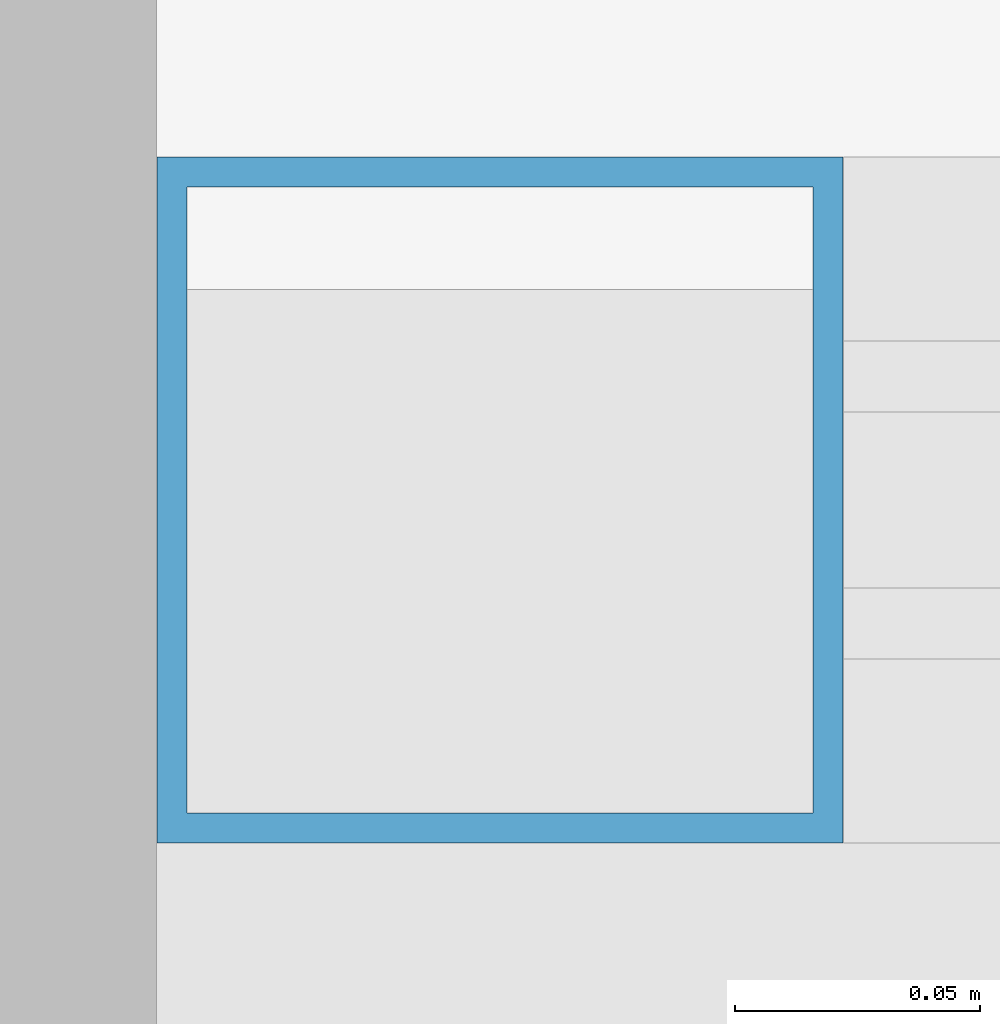
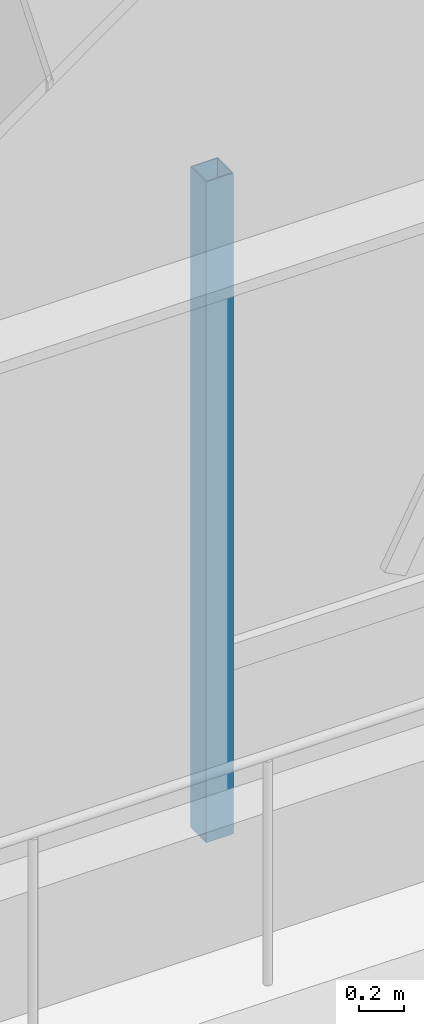
# One storey, part 4 of 28: 1 member, 1 element without a shape of its own.
"""IFC4 building model written with IfcOpenShell, lengths in metres."""

from ifc_helpers import new_model, si_unit, direction, frame, origin, origin_2d, place, context, subcontext, project, spatial, hollow_rectangle, extrude, source, transform, mapped, material, material_profile, profile_set, type_object, element, aggregate, save


model = new_model("IFC4")

# Units and contexts
model_context = context("Model", 3, precision=1e-05, world=origin(), true_north=direction((0.0, 1.0)))
body_context = subcontext(model_context, "Body", "Model", "MODEL_VIEW")
ifc_project = project(units=[si_unit("LENGTHUNIT", "METRE"), si_unit("AREAUNIT", "SQUARE_METRE"), si_unit("VOLUMEUNIT", "CUBIC_METRE"), si_unit("PLANEANGLEUNIT", "RADIAN"), si_unit("MASSUNIT", "GRAM", prefix="KILO")], contexts=[model_context])

# Site, building, storey
site_placement = place(None, origin())
site = spatial("IfcSite", under=ifc_project, at=site_placement, CompositionType="ELEMENT")
building_placement = place(site_placement, origin())
building = spatial("IfcBuilding", under=site, at=building_placement, Name="Khorayat Bourse Tower", CompositionType="ELEMENT")
storey_placement = place(building_placement, frame((0.0, 0.0, 6.60009765625)))
storey = spatial("IfcBuildingStorey", under=building, at=storey_placement, Name="L01", CompositionType="ELEMENT", Elevation=6.60009765625)

# Curtain wall, member
ifc_material = material(Name="Aluminium EN AW-6063 T6", Category="aluminium")
curtain_wall_type = type_object("IfcCurtainWallType", Name="CW-SYS-01", PredefinedType="NOTDEFINED", material=ifc_material)
curtain_wall_placement = place(storey_placement, origin())
curtain_wall = element("IfcCurtainWall", 1, at=curtain_wall_placement, inside=storey, type_object=curtain_wall_type, Name="L01 Curtain Wall CW-L01-SE", PredefinedType="NOTDEFINED")
ifc_material_profile = material_profile(ifc_material, hollow_rectangle(XDim=0.139892578125, YDim=0.139892578125, WallThickness=0.006103515625, at=origin_2d()), Name="ALU 140x140x6")
ifc_profile_set = profile_set([ifc_material_profile], Name="Aluminium EN AW-6063 T6")
member_type = type_object("IfcMemberType", Name="CWM-VERT-140", PredefinedType="MULLION", material=ifc_profile_set)
shared_shape = source(origin(), body_context, "Body", "SweptSolid", [
    extrude(hollow_rectangle(XDim=0.139892578125, YDim=0.139892578125, WallThickness=0.006103515625, at=origin_2d()), origin(), (0.0, 0.0, 1.0), 3.5498046875),
])
member_placement = place(storey_placement, frame((0.969970703125, -36.742919921875, 0.0), z_axis=(0.0, 0.0, 1.0), x_axis=(0.0, 1.0, 0.0)))
member = element("IfcMember", 2, at=member_placement, type_object=member_type, Name="CW-L01-SE Vertical Mullion 1", PredefinedType="MULLION", context=body_context, shape_type="MappedRepresentation", body=[
    mapped(shared_shape, transform((0.0, 0.0, 0.0), scale=1.0)),
])
aggregate(curtain_wall, [member])

save(model, "model.ifc")
